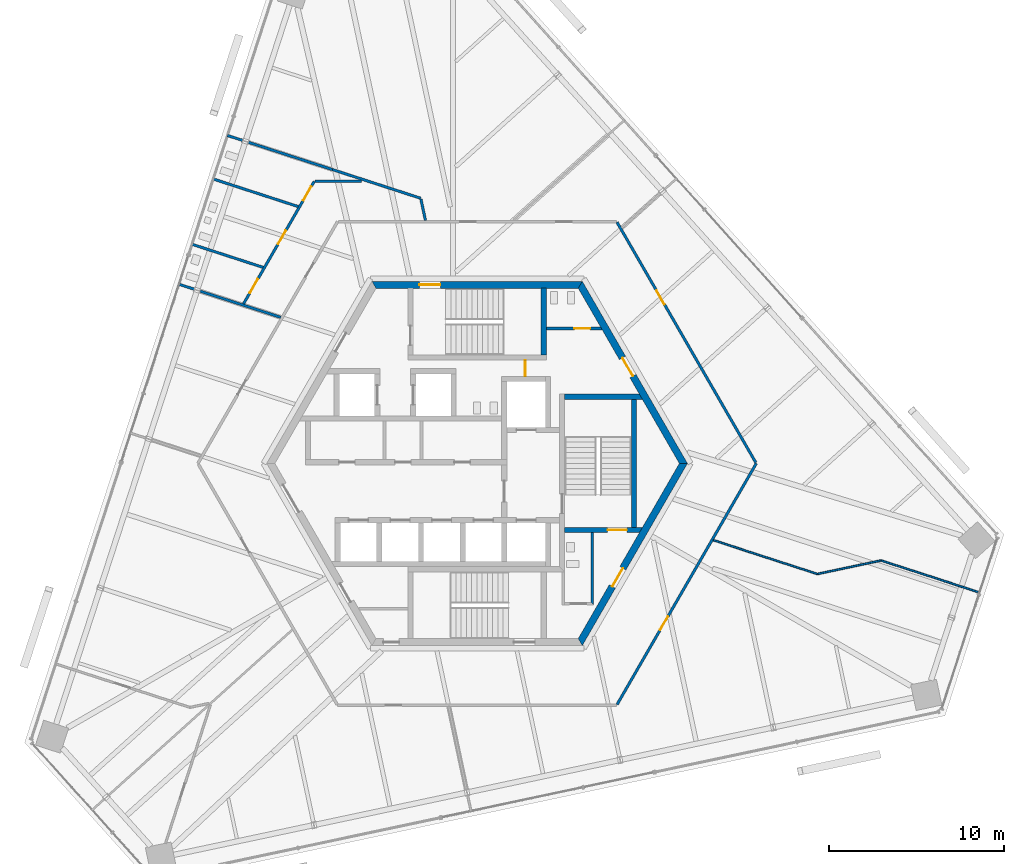
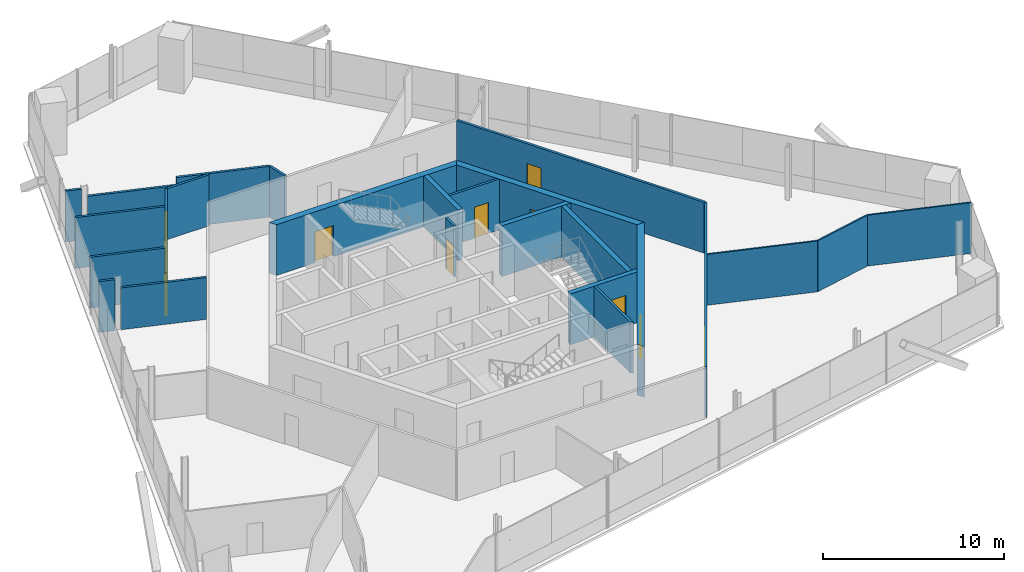
# One storey, part 11 of 14: 25 walls, 11 doors, 11 openings.
"""IFC4 building model written with IfcOpenShell, lengths in metres."""

from ifc_helpers import new_model, si_unit, direction, frame, frame_2d, origin, place, context, subcontext, project, spatial, polyline, rectangle, outline, extrude, source, transform, mapped, material, layer, layer_set, type_object, element, fill, save


model = new_model("IFC4")

# Units and contexts
model_context = context("Model", 3, precision=1e-05, world=origin(), true_north=direction((0.0, 1.0)))
body_context = subcontext(model_context, "Body", "Model", "MODEL_VIEW")
ifc_project = project(units=[si_unit("LENGTHUNIT", "METRE"), si_unit("AREAUNIT", "SQUARE_METRE"), si_unit("VOLUMEUNIT", "CUBIC_METRE"), si_unit("PLANEANGLEUNIT", "RADIAN"), si_unit("MASSUNIT", "GRAM", prefix="KILO")], contexts=[model_context])

# Site, building, storey
site_placement = place(None, origin())
site = spatial("IfcSite", under=ifc_project, at=site_placement, CompositionType="ELEMENT")
building_placement = place(site_placement, origin())
building = spatial("IfcBuilding", under=site, at=building_placement, Name="Triune Harvest Tower", CompositionType="ELEMENT")
storey_placement = place(building_placement, frame((0.0, 0.0, 263.10009765625)))
storey = spatial("IfcBuildingStorey", under=building, at=storey_placement, Name="L69", CompositionType="ELEMENT", Elevation=263.10009765625)

# Walls
ifc_material_1 = material(Name="Gypsum board on steel studs", Category="steel")
ifc_layer_1 = layer(ifc_material_1, 0.14990234375)
ifc_layer_set_1 = layer_set([ifc_layer_1], Name="Gypsum board on steel studs")
wall_type_1 = type_object("IfcWallType", Name="Fire Partition 150 mm", PredefinedType="PARTITIONING", material=ifc_layer_set_1)
wall_1_placement = place(storey_placement, frame((-15.809814453125, 9.830810546875, 0.0), z_axis=(0.0, 0.0, 1.0), x_axis=(0.951051075925, -0.309033737611, 0.0)))
element("IfcWall", 1, at=wall_1_placement, inside=storey, type_object=wall_type_1, Name="Partition L69 012", PredefinedType="PARTITIONING", context=body_context, shape_type="SweptSolid", body=[
    extrude(rectangle(XDim=4.852294921875, YDim=0.14990234375, at=frame_2d((2.42626953125, 0.0))), origin(), (0.0, 0.0, 1.0), 2.82763671875),
])
wall_2_placement = place(storey_placement, frame((-13.051025390625, 18.32177734375, 0.0), z_axis=(0.0, 0.0, 1.0), x_axis=(0.951057550444, -0.309013811574, 0.0)))
element("IfcWall", 2, at=wall_2_placement, inside=storey, type_object=wall_type_1, Name="Partition L69 016", PredefinedType="PARTITIONING", context=body_context, shape_type="SweptSolid", body=[
    extrude(rectangle(XDim=5.042236328125, YDim=0.14990234375, at=frame_2d((2.52099609375, 0.0))), origin(), (0.0, 0.0, 1.0), 2.90380859375),
])
ifc_material_2 = material(Name="Gypsum board on steel studs", Category="steel")
ifc_layer_2 = layer(ifc_material_2, 0.10009765625)
ifc_layer_set_2 = layer_set([ifc_layer_2], Name="Gypsum board on steel studs")
wall_type_2 = type_object("IfcWallType", Name="Partition 100 mm", PredefinedType="PARTITIONING", material=ifc_layer_set_2)
wall_3_placement = place(storey_placement, frame((23.046875, -5.536865234375, 0.0), z_axis=(0.0, 0.0, 1.0), x_axis=(0.951061094762, -0.309002902948, 0.0)))
element("IfcWall", 3, at=wall_3_placement, inside=storey, type_object=wall_type_2, Name="Partition L69 010", PredefinedType="PARTITIONING", context=body_context, shape_type="SweptSolid", body=[
    extrude(rectangle(XDim=5.907470703125, YDim=0.10009765625, at=frame_2d((2.95361328125, 0.0))), origin(), (0.0, 0.0, 1.0), 3.43994140625),
])
wall_4_placement = place(storey_placement, frame((19.425537109375, -6.305908203125, 0.0), z_axis=(0.0, 0.0, 1.0), x_axis=(0.97813598907, 0.2079663119, 0.0)))
element("IfcWall", 4, at=wall_4_placement, inside=storey, type_object=wall_type_2, Name="Partition L69 021", PredefinedType="PARTITIONING", context=body_context, shape_type="SweptSolid", body=[
    extrude(rectangle(XDim=3.692138671875, YDim=0.10009765625, at=frame_2d((1.84619140625, 0.0))), origin(), (0.0, 0.0, 1.0), 3.43994140625),
])

# Wall, opening, door
ifc_material_3 = material(Name="Concrete 70 MPa", Category="concrete")
ifc_layer_3 = layer(ifc_material_3, 0.39990234375)
ifc_layer_set_3 = layer_set([ifc_layer_3], Name="Concrete 70 MPa")
wall_type_3 = type_object("IfcWallType", Name="Core wall 400", PredefinedType="SHEAR", material=ifc_layer_set_3)
shared_shape_1 = source(origin(), body_context, "Body", "SweptSolid", [
    extrude(outline(polyline([(-0.115478515625, -0.199951171875), (11.884521484375, -0.199951171875), (11.653564453125, 0.199951171875), (0.115478515625, 0.199951171875), (-0.115478515625, -0.199951171875)])), origin(), (0.0, 0.0, 1.0), 3.43994140625),
])
wall_5_placement = place(storey_placement, frame((11.76904296875, 0.0, 0.0), z_axis=(0.0, 0.0, 1.0), x_axis=(-0.499996592174, 0.866027371285, 0.0)))
wall_5 = element("IfcWall", 5, at=wall_5_placement, inside=storey, type_object=wall_type_3, Name="Hexagon 0 wall", PredefinedType="SHEAR", context=body_context, shape_type="MappedRepresentation", body=[
    mapped(shared_shape_1, transform((0.0, 0.0, 0.0), scale=1.0)),
])
opening_1_placement = place(wall_5_placement, frame((5.75048828125, 0.0, 0.0)))
opening_1 = element("IfcOpeningElement", 6, at=opening_1_placement, cuts=wall_5, Name="Opening CD-WCP", PredefinedType="OPENING", context=body_context, shape_type="SweptSolid", body=[
    extrude(rectangle(XDim=1.199951171875, YDim=2.10009765625, at=frame_2d((0.60009765625, 1.050048828125))), frame((0.0, 0.2099609375, 0.0), z_axis=(0.0, -1.0, 0.0), x_axis=(1.0, 0.0, 0.0)), (0.0, 0.0, 1.0), 0.419921875),
])
ifc_material_4 = material(Name="Steel S235", Category="steel")
door_type_1 = type_object("IfcDoorType", Name="Lobby door 1200 FD120", OperationType="SINGLE_SWING_LEFT", PredefinedType="DOOR", material=ifc_material_4)
door_1_placement = place(opening_1_placement, frame((1.199951171875, 0.0, 0.0), z_axis=(0.0, 0.0, 1.0), x_axis=(-1.0, 0.0, 0.0)))
door_1 = element("IfcDoor", 7, at=door_1_placement, inside=storey, type_object=door_type_1, Name="Door CD-WCP", OperationType="SINGLE_SWING_RIGHT", OverallHeight=2.10009765625, OverallWidth=1.199951171875, PredefinedType="DOOR", context=body_context, shape_type="SweptSolid", body=[
    extrude(rectangle(XDim=1.199951171875, YDim=2.10009765625, at=frame_2d((0.60009765625, 1.050048828125))), frame((0.0, 0.02490234375, 0.0), z_axis=(0.0, -1.0, 0.0), x_axis=(1.0, 0.0, 0.0)), (0.0, 0.0, 1.0), 0.050048828125),
])
fill(opening_1, door_1)

wall_6_placement = place(storey_placement, frame((5.884521484375, 10.1923828125, 0.0), z_axis=(0.0, 0.0, 1.0), x_axis=(-1.0, 0.0, 0.0)))
wall_6 = element("IfcWall", 8, at=wall_6_placement, inside=storey, type_object=wall_type_3, Name="Hexagon 1 wall", PredefinedType="SHEAR", context=body_context, shape_type="MappedRepresentation", body=[
    mapped(shared_shape_1, transform((0.0, 0.0, 0.0), scale=1.0)),
])
opening_2_placement = place(wall_6_placement, frame((7.984619140625, 0.0, 0.0)))
opening_2 = element("IfcOpeningElement", 9, at=opening_2_placement, cuts=wall_6, Name="Opening CD-S1P", PredefinedType="OPENING", context=body_context, shape_type="SweptSolid", body=[
    extrude(rectangle(XDim=1.199951171875, YDim=2.10009765625, at=frame_2d((0.60009765625, 1.050048828125))), frame((0.0, 0.2099609375, 0.0), z_axis=(0.0, -1.0, 0.0), x_axis=(1.0, 0.0, 0.0)), (0.0, 0.0, 1.0), 0.419921875),
])
ifc_material_5 = material(Name="Steel S235", Category="steel")
door_type_2 = type_object("IfcDoorType", Name="Stair door 1200 FD120", OperationType="SINGLE_SWING_LEFT", PredefinedType="DOOR", material=ifc_material_5)
door_2_placement = place(opening_2_placement, frame((1.199951171875, 0.0, 0.0), z_axis=(0.0, 0.0, 1.0), x_axis=(-1.0, 0.0, 0.0)))
door_2 = element("IfcDoor", 10, at=door_2_placement, inside=storey, type_object=door_type_2, Name="Door CD-S1P", OperationType="SINGLE_SWING_RIGHT", OverallHeight=2.10009765625, OverallWidth=1.199951171875, PredefinedType="DOOR", context=body_context, shape_type="SweptSolid", body=[
    extrude(rectangle(XDim=1.199951171875, YDim=2.10009765625, at=frame_2d((0.60009765625, 1.050048828125))), frame((0.0, 0.02490234375, 0.0), z_axis=(0.0, -1.0, 0.0), x_axis=(1.0, 0.0, 0.0)), (0.0, 0.0, 1.0), 0.050048828125),
])
fill(opening_2, door_2)

wall_7_placement = place(storey_placement, frame((5.884521484375, -10.1923828125, 0.0), z_axis=(0.0, 0.0, 1.0), x_axis=(0.499996592174, 0.866027371285, 0.0)))
wall_7 = element("IfcWall", 11, at=wall_7_placement, inside=storey, type_object=wall_type_3, Name="Hexagon 5 wall", PredefinedType="SHEAR", context=body_context, shape_type="MappedRepresentation", body=[
    mapped(shared_shape_1, transform((0.0, 0.0, 0.0), scale=1.0)),
])
opening_3_placement = place(wall_7_placement, frame((3.66455078125, 0.0, 0.0)))
opening_3 = element("IfcOpeningElement", 12, at=opening_3_placement, cuts=wall_7, Name="Opening CD-DP", PredefinedType="OPENING", context=body_context, shape_type="SweptSolid", body=[
    extrude(rectangle(XDim=1.199951171875, YDim=2.10009765625, at=frame_2d((0.60009765625, 1.050048828125))), frame((0.0, 0.2099609375, 0.0), z_axis=(0.0, -1.0, 0.0), x_axis=(1.0, 0.0, 0.0)), (0.0, 0.0, 1.0), 0.419921875),
])
door_3_placement = place(opening_3_placement, frame((1.199951171875, 0.0, 0.0), z_axis=(0.0, 0.0, 1.0), x_axis=(-1.0, 0.0, 0.0)))
door_3 = element("IfcDoor", 13, at=door_3_placement, inside=storey, type_object=door_type_2, Name="Door CD-DP", OperationType="SINGLE_SWING_RIGHT", OverallHeight=2.10009765625, OverallWidth=1.199951171875, PredefinedType="DOOR", context=body_context, shape_type="SweptSolid", body=[
    extrude(rectangle(XDim=1.199951171875, YDim=2.10009765625, at=frame_2d((0.60009765625, 1.050048828125))), frame((0.0, 0.02490234375, 0.0), z_axis=(0.0, -1.0, 0.0), x_axis=(1.0, 0.0, 0.0)), (0.0, 0.0, 1.0), 0.050048828125),
])
fill(opening_3, door_3)

# Wall
ifc_material_6 = material(Name="Concrete 70 MPa", Category="concrete")
ifc_layer_4 = layer(ifc_material_6, 0.300048828125)
ifc_layer_set_4 = layer_set([ifc_layer_4], Name="Concrete 70 MPa")
wall_type_4 = type_object("IfcWallType", Name="Core wall 300", PredefinedType="SHEAR", material=ifc_layer_set_4)
shared_shape_2 = source(origin(), body_context, "Body", "SweptSolid", [
    extrude(outline(polyline([(0.0, -0.14990234375), (0.0, 0.14990234375), (4.260009765625, 0.14990234375), (4.43310546875, -0.14990234375), (0.0, -0.14990234375)])), origin(), (0.0, 0.0, 1.0), 3.43994140625),
])
wall_8_placement = place(storey_placement, frame((5.0, 3.800048828125, 0.0), z_axis=(0.0, 0.0, 1.0), x_axis=(1.0, 0.0, 0.0)))
element("IfcWall", 14, at=wall_8_placement, inside=storey, type_object=wall_type_4, Name="Stair e north wall", PredefinedType="SHEAR", context=body_context, shape_type="MappedRepresentation", body=[
    mapped(shared_shape_2, transform((0.0, 0.0, 0.0), scale=1.0)),
])

# Wall, opening, door
shared_shape_3 = source(origin(), body_context, "Body", "SweptSolid", [
    extrude(outline(polyline([(0.0, -0.14990234375), (0.0, 0.14990234375), (4.43310546875, 0.14990234375), (4.260009765625, -0.14990234375), (0.0, -0.14990234375)])), origin(), (0.0, 0.0, 1.0), 3.43994140625),
])
wall_9_placement = place(storey_placement, frame((5.0, -3.800048828125, 0.0), z_axis=(0.0, 0.0, 1.0), x_axis=(1.0, 0.0, 0.0)))
wall_9 = element("IfcWall", 15, at=wall_9_placement, inside=storey, type_object=wall_type_4, Name="Stair e south wall", PredefinedType="SHEAR", context=body_context, shape_type="MappedRepresentation", body=[
    mapped(shared_shape_3, transform((0.0, 0.0, 0.0), scale=1.0)),
])
opening_4_placement = place(wall_9_placement, frame((2.449951171875, 0.0, 0.0)))
opening_4 = element("IfcOpeningElement", 16, at=opening_4_placement, cuts=wall_9, Name="Opening CD-S3D", PredefinedType="OPENING", context=body_context, shape_type="SweptSolid", body=[
    extrude(rectangle(XDim=1.10009765625, YDim=2.10009765625, at=frame_2d((0.550048828125, 1.050048828125))), frame((0.0, 0.16015625, 0.0), z_axis=(0.0, -1.0, 0.0), x_axis=(1.0, 0.0, 0.0)), (0.0, 0.0, 1.0), 0.320068359375),
])
ifc_material_7 = material(Name="Steel S235", Category="steel")
door_type_3 = type_object("IfcDoorType", Name="Stair door 1100 FD120", OperationType="SINGLE_SWING_LEFT", PredefinedType="DOOR", material=ifc_material_7)
door_4_placement = place(opening_4_placement, frame((1.10009765625, 0.0, 0.0), z_axis=(0.0, 0.0, 1.0), x_axis=(-1.0, 0.0, 0.0)))
door_4 = element("IfcDoor", 17, at=door_4_placement, inside=storey, type_object=door_type_3, Name="Door CD-S3D", OperationType="SINGLE_SWING_RIGHT", OverallHeight=2.10009765625, OverallWidth=1.10009765625, PredefinedType="DOOR", context=body_context, shape_type="SweptSolid", body=[
    extrude(rectangle(XDim=1.10009765625, YDim=2.10009765625, at=frame_2d((0.550048828125, 1.050048828125))), frame((0.0, 0.02490234375, 0.0), z_axis=(0.0, -1.0, 0.0), x_axis=(1.0, 0.0, 0.0)), (0.0, 0.0, 1.0), 0.050048828125),
])
fill(opening_4, door_4)

# Walls
shared_shape_4 = source(origin(), body_context, "Body", "SweptSolid", [
    extrude(rectangle(XDim=7.2998046875, YDim=0.300048828125, at=frame_2d((3.64990234375, 0.0))), origin(), (0.0, 0.0, 1.0), 3.43994140625),
])
wall_10_placement = place(storey_placement, frame((8.949951171875, -3.64990234375, 0.0), z_axis=(0.0, 0.0, 1.0), x_axis=(0.0, 1.0, 0.0)))
element("IfcWall", 18, at=wall_10_placement, inside=storey, type_object=wall_type_4, Name="Stair e east wall", PredefinedType="SHEAR", context=body_context, shape_type="MappedRepresentation", body=[
    mapped(shared_shape_4, transform((0.0, 0.0, 0.0), scale=1.0)),
])
shared_shape_5 = source(origin(), body_context, "Body", "SweptSolid", [
    extrude(outline(polyline([(0.0, -0.14990234375), (0.0, 0.14990234375), (3.80419921875, 0.14990234375), (3.80419921875, -0.14990234375), (0.0, -0.14990234375)])), origin(), (0.0, 0.0, 1.0), 3.43994140625),
])
wall_11_placement = place(storey_placement, frame((3.800048828125, 6.18994140625, 0.0), z_axis=(0.0, 0.0, 1.0), x_axis=(0.0, 1.0, 0.0)))
element("IfcWall", 19, at=wall_11_placement, inside=storey, type_object=wall_type_4, Name="Stair n east wall", PredefinedType="SHEAR", context=body_context, shape_type="MappedRepresentation", body=[
    mapped(shared_shape_5, transform((0.0, 0.0, 0.0), scale=1.0)),
])
ifc_material_8 = material(Name="Concrete masonry unit", Category="masonry")
ifc_layer_5 = layer(ifc_material_8, 0.14990234375)
ifc_layer_set_5 = layer_set([ifc_layer_5], Name="Concrete masonry unit")
wall_type_5 = type_object("IfcWallType", Name="Block partition 150 unrated", PredefinedType="PARTITIONING", material=ifc_layer_set_5)
shared_shape_6 = source(origin(), body_context, "Body", "SweptSolid", [
    extrude(outline(polyline([(-0.074951171875, -0.074951171875), (4.050048828125, -0.074951171875), (4.050048828125, 0.074951171875), (0.074951171875, 0.074951171875), (-0.074951171875, -0.074951171875)])), origin(), (0.0, 0.0, 1.0), 3.43994140625),
])
wall_12_placement = place(storey_placement, frame((6.574951171875, -8.0, 0.0), z_axis=(0.0, 0.0, 1.0), x_axis=(0.0, 1.0, 0.0)))
element("IfcWall", 20, at=wall_12_placement, inside=storey, type_object=wall_type_5, Name="Wc acc east wall", PredefinedType="PARTITIONING", context=body_context, shape_type="MappedRepresentation", body=[
    mapped(shared_shape_6, transform((0.0, 0.0, 0.0), scale=1.0)),
])

# Wall, opening, door
shared_shape_7 = source(origin(), body_context, "Body", "SweptSolid", [
    extrude(outline(polyline([(0.0, -0.074951171875), (0.0, 0.074951171875), (3.1015625, 0.074951171875), (3.18798828125, -0.074951171875), (0.0, -0.074951171875)])), origin(), (0.0, 0.0, 1.0), 3.43994140625),
])
wall_13_placement = place(storey_placement, frame((3.949951171875, 7.699951171875, 0.0), z_axis=(0.0, 0.0, 1.0), x_axis=(1.0, 0.0, 0.0)))
wall_13 = element("IfcWall", 21, at=wall_13_placement, inside=storey, type_object=wall_type_5, Name="Wc women south wall", PredefinedType="PARTITIONING", context=body_context, shape_type="MappedRepresentation", body=[
    mapped(shared_shape_7, transform((0.0, 0.0, 0.0), scale=1.0)),
])
opening_5_placement = place(wall_13_placement, frame((1.60009765625, 0.0, 0.0)))
opening_5 = element("IfcOpeningElement", 22, at=opening_5_placement, cuts=wall_13, Name="Opening CD-WW", PredefinedType="OPENING", context=body_context, shape_type="SweptSolid", body=[
    extrude(rectangle(XDim=0.89990234375, YDim=2.10009765625, at=frame_2d((0.449951171875, 1.050048828125))), frame((0.0, 0.0849609375, 0.0), z_axis=(0.0, -1.0, 0.0), x_axis=(1.0, 0.0, 0.0)), (0.0, 0.0, 1.0), 0.169921875),
])
ifc_material_9 = material(Name="Timber C24", Category="wood")
door_type_4 = type_object("IfcDoorType", Name="WC door 900", OperationType="SINGLE_SWING_LEFT", PredefinedType="DOOR", material=ifc_material_9)
door_5_placement = place(opening_5_placement, origin())
door_5 = element("IfcDoor", 23, at=door_5_placement, inside=storey, type_object=door_type_4, Name="Door CD-WW", OperationType="SINGLE_SWING_LEFT", OverallHeight=2.10009765625, OverallWidth=0.89990234375, PredefinedType="DOOR", context=body_context, shape_type="SweptSolid", body=[
    extrude(rectangle(XDim=0.89990234375, YDim=2.10009765625, at=frame_2d((0.449951171875, 1.050048828125))), frame((0.0, 0.02490234375, 0.0), z_axis=(0.0, -1.0, 0.0), x_axis=(1.0, 0.0, 0.0)), (0.0, 0.0, 1.0), 0.050048828125),
])
fill(opening_5, door_5)

shared_shape_8 = source(origin(), body_context, "Body", "SweptSolid", [
    extrude(rectangle(XDim=0.929931640625, YDim=0.14990234375, at=frame_2d((0.46484375, 0.0))), origin(), (0.0, 0.0, 1.0), 3.43994140625),
])
wall_14_placement = place(storey_placement, frame((2.75, 4.9599609375, 0.0), z_axis=(0.0, 0.0, 1.0), x_axis=(0.0, 1.0, 0.0)))
wall_14 = element("IfcWall", 24, at=wall_14_placement, inside=storey, type_object=wall_type_5, Name="Wc men east b wall", PredefinedType="PARTITIONING", context=body_context, shape_type="MappedRepresentation", body=[
    mapped(shared_shape_8, transform((0.0, 0.0, 0.0), scale=1.0)),
])
opening_6_placement = place(wall_14_placement, frame((0.014892578125, 0.0, 0.0)))
opening_6 = element("IfcOpeningElement", 25, at=opening_6_placement, cuts=wall_14, Name="Opening CD-WM", PredefinedType="OPENING", context=body_context, shape_type="SweptSolid", body=[
    extrude(rectangle(XDim=0.89990234375, YDim=2.10009765625, at=frame_2d((0.449951171875, 1.050048828125))), frame((0.0, 0.0849609375, 0.0), z_axis=(0.0, -1.0, 0.0), x_axis=(1.0, 0.0, 0.0)), (0.0, 0.0, 1.0), 0.169921875),
])
door_6_placement = place(opening_6_placement, origin())
door_6 = element("IfcDoor", 26, at=door_6_placement, inside=storey, type_object=door_type_4, Name="Door CD-WM", OperationType="SINGLE_SWING_LEFT", OverallHeight=2.10009765625, OverallWidth=0.89990234375, PredefinedType="DOOR", context=body_context, shape_type="SweptSolid", body=[
    extrude(rectangle(XDim=0.89990234375, YDim=2.10009765625, at=frame_2d((0.449951171875, 1.050048828125))), frame((0.0, 0.02490234375, 0.0), z_axis=(0.0, -1.0, 0.0), x_axis=(1.0, 0.0, 0.0)), (0.0, 0.0, 1.0), 0.050048828125),
])
fill(opening_6, door_6)

# Wall
shared_shape_9 = source(origin(), body_context, "Body", "SweptSolid", [
    extrude(rectangle(XDim=1.25341796875, YDim=0.14990234375, at=frame_2d((0.626708984375, 0.0))), origin(), (0.0, 0.0, 1.0), 3.43994140625),
])
wall_15_placement = place(storey_placement, frame((-3.206787109375, 15.0869140625, 0.0), z_axis=(0.0, 0.0, 1.0), x_axis=(0.207826142567, -0.978165780666, 0.0)))
element("IfcWall", 27, at=wall_15_placement, inside=storey, type_object=wall_type_1, Name="Partition L69 003", PredefinedType="PARTITIONING", context=body_context, shape_type="MappedRepresentation", body=[
    mapped(shared_shape_9, transform((0.0, 0.0, 0.0), scale=1.0)),
])

# Wall, opening, door
shared_shape_10 = source(origin(), body_context, "Body", "SweptSolid", [
    extrude(rectangle(XDim=15.83544921875, YDim=0.14990234375, at=frame_2d((7.917724609375, 0.0))), origin(), (0.0, 0.0, 1.0), 3.43994140625),
])
wall_16_placement = place(storey_placement, frame((7.983154296875, 13.757568359375, 0.0), z_axis=(0.0, 0.0, 1.0), x_axis=(0.500012495779, -0.866018189223, 0.0)))
wall_16 = element("IfcWall", 28, at=wall_16_placement, inside=storey, type_object=wall_type_1, Name="Partition L69 005", PredefinedType="PARTITIONING", context=body_context, shape_type="MappedRepresentation", body=[
    mapped(shared_shape_10, transform((0.0, 0.0, 0.0), scale=1.0)),
])
opening_7_placement = place(wall_16_placement, frame((4.5048828125, 0.0, 0.0)))
opening_7 = element("IfcOpeningElement", 29, at=opening_7_placement, cuts=wall_16, Name="Opening L69-001", PredefinedType="OPENING", context=body_context, shape_type="SweptSolid", body=[
    extrude(rectangle(XDim=0.89990234375, YDim=2.10009765625, at=frame_2d((0.449951171875, 1.050048828125))), frame((0.0, 0.0849609375, 0.0), z_axis=(0.0, -1.0, 0.0), x_axis=(1.0, 0.0, 0.0)), (0.0, 0.0, 1.0), 0.169921875),
])
ifc_material_10 = material(Name="Timber and steel door set", Category="steel")
door_type_5 = type_object("IfcDoorType", Name="Single leaf door FD30 left hand 900 x 2100", OperationType="SINGLE_SWING_LEFT", PredefinedType="DOOR", material=ifc_material_10)
door_7_placement = place(opening_7_placement, origin())
door_7 = element("IfcDoor", 30, at=door_7_placement, inside=storey, type_object=door_type_5, Name="Door L69-001 Executive Suite 69.01", OperationType="SINGLE_SWING_LEFT", OverallHeight=2.10009765625, OverallWidth=0.89990234375, PredefinedType="DOOR", context=body_context, shape_type="SweptSolid", body=[
    extrude(rectangle(XDim=0.89990234375, YDim=2.10009765625, at=frame_2d((0.449951171875, 1.050048828125))), frame((0.0, 0.02490234375, 0.0), z_axis=(0.0, -1.0, 0.0), x_axis=(1.0, 0.0, 0.0)), (0.0, 0.0, 1.0), 0.050048828125),
])
fill(opening_7, door_7)

# Walls
shared_shape_11 = source(origin(), body_context, "Body", "SweptSolid", [
    extrude(rectangle(XDim=6.244873046875, YDim=0.10009765625, at=frame_2d((3.12255859375, 0.0))), origin(), (0.0, 0.0, 1.0), 3.43994140625),
])
wall_17_placement = place(storey_placement, frame((13.476806640625, -4.37890625, 0.0), z_axis=(0.0, 0.0, 1.0), x_axis=(0.95106020959, -0.309005627352, 0.0)))
element("IfcWall", 31, at=wall_17_placement, inside=storey, type_object=wall_type_2, Name="Partition L69 009", PredefinedType="PARTITIONING", context=body_context, shape_type="MappedRepresentation", body=[
    mapped(shared_shape_11, transform((0.0, 0.0, 0.0), scale=1.0)),
])
shared_shape_12 = source(origin(), body_context, "Body", "SweptSolid", [
    extrude(rectangle(XDim=0.915283203125, YDim=0.14990234375, at=frame_2d((0.45751953125, 0.0))), origin(), (0.0, 0.0, 1.0), 3.43994140625),
])
wall_18_placement = place(storey_placement, frame((-17.00439453125, 10.21875, 0.0), z_axis=(0.0, 0.0, 1.0), x_axis=(0.951108522522, -0.308856889815, 0.0)))
element("IfcWall", 32, at=wall_18_placement, inside=storey, type_object=wall_type_1, Name="Partition L69 011", PredefinedType="PARTITIONING", context=body_context, shape_type="MappedRepresentation", body=[
    mapped(shared_shape_12, transform((0.0, 0.0, 0.0), scale=1.0)),
])
shared_shape_13 = source(origin(), body_context, "Body", "SweptSolid", [
    extrude(rectangle(XDim=4.266845703125, YDim=0.14990234375, at=frame_2d((2.13330078125, 0.0))), origin(), (0.0, 0.0, 1.0), 3.43994140625),
])
wall_19_placement = place(storey_placement, frame((-16.2626953125, 12.501220703125, 0.0), z_axis=(0.0, 0.0, 1.0), x_axis=(0.951053408584, -0.309026558763, 0.0)))
element("IfcWall", 33, at=wall_19_placement, inside=storey, type_object=wall_type_1, Name="Partition L69 013", PredefinedType="PARTITIONING", context=body_context, shape_type="MappedRepresentation", body=[
    mapped(shared_shape_13, transform((0.0, 0.0, 0.0), scale=1.0)),
])
shared_shape_14 = source(origin(), body_context, "Body", "SweptSolid", [
    extrude(rectangle(XDim=5.099609375, YDim=0.14990234375, at=frame_2d((2.5498046875, 0.0))), origin(), (0.0, 0.0, 1.0), 3.43994140625),
])
wall_20_placement = place(storey_placement, frame((-15.052490234375, 16.2265625, 0.0), z_axis=(0.0, 0.0, 1.0), x_axis=(0.951054471747, -0.309023286778, 0.0)))
element("IfcWall", 34, at=wall_20_placement, inside=storey, type_object=wall_type_1, Name="Partition L69 014", PredefinedType="PARTITIONING", context=body_context, shape_type="MappedRepresentation", body=[
    mapped(shared_shape_14, transform((0.0, 0.0, 0.0), scale=1.0)),
])
shared_shape_15 = source(origin(), body_context, "Body", "SweptSolid", [
    extrude(rectangle(XDim=0.91552734375, YDim=0.14990234375, at=frame_2d((0.457763671875, 0.0))), origin(), (0.0, 0.0, 1.0), 3.43994140625),
])
wall_21_placement = place(storey_placement, frame((-14.24560546875, 18.7099609375, 0.0), z_axis=(0.0, 0.0, 1.0), x_axis=(0.951030148904, -0.309098133084, 0.0)))
element("IfcWall", 35, at=wall_21_placement, inside=storey, type_object=wall_type_1, Name="Partition L69 015", PredefinedType="PARTITIONING", context=body_context, shape_type="MappedRepresentation", body=[
    mapped(shared_shape_15, transform((0.0, 0.0, 0.0), scale=1.0)),
])
shared_shape_16 = source(origin(), body_context, "Body", "SweptSolid", [
    extrude(rectangle(XDim=5.2998046875, YDim=0.14990234375, at=frame_2d((2.64990234375, 0.0))), origin(), (0.0, 0.0, 1.0), 3.43994140625),
])
wall_22_placement = place(storey_placement, frame((-8.255615234375, 16.763671875, 0.0), z_axis=(0.0, 0.0, 1.0), x_axis=(0.951060470027, -0.309004825775, 0.0)))
element("IfcWall", 36, at=wall_22_placement, inside=storey, type_object=wall_type_1, Name="Partition L69 016a", PredefinedType="PARTITIONING", context=body_context, shape_type="MappedRepresentation", body=[
    mapped(shared_shape_16, transform((0.0, 0.0, 0.0), scale=1.0)),
])
shared_shape_17 = source(origin(), body_context, "Body", "SweptSolid", [
    extrude(rectangle(XDim=2.658935546875, YDim=0.14990234375, at=frame_2d((1.32958984375, 0.0))), origin(), (0.0, 0.0, 1.0), 3.43994140625),
])
wall_23_placement = place(storey_placement, frame((-9.240966796875, 16.09228515625, 0.0), z_axis=(0.0, 0.0, 1.0), x_axis=(1.0, 0.0, 0.0)))
element("IfcWall", 37, at=wall_23_placement, inside=storey, type_object=wall_type_1, Name="Partition L69 019", PredefinedType="PARTITIONING", context=body_context, shape_type="MappedRepresentation", body=[
    mapped(shared_shape_17, transform((0.0, 0.0, 0.0), scale=1.0)),
])

# Wall, opening, door
shared_shape_18 = source(origin(), body_context, "Body", "SweptSolid", [
    extrude(rectangle(XDim=15.88623046875, YDim=0.14990234375, at=frame_2d((7.943115234375, 0.0))), origin(), (0.0, 0.0, 1.0), 3.43994140625),
])
wall_24_placement = place(storey_placement, frame((7.98291015625, -13.7578125, 0.0), z_axis=(0.0, 0.0, 1.0), x_axis=(0.500001816864, 0.866024354815, 0.0)))
wall_24 = element("IfcWall", 38, at=wall_24_placement, inside=storey, type_object=wall_type_1, Name="Partition L69 027", PredefinedType="PARTITIONING", context=body_context, shape_type="MappedRepresentation", body=[
    mapped(shared_shape_18, transform((0.0, 0.0, 0.0), scale=1.0)),
])
opening_8_placement = place(wall_24_placement, frame((4.909912109375, 0.0, 0.0)))
opening_8 = element("IfcOpeningElement", 39, at=opening_8_placement, cuts=wall_24, Name="Opening L69-013", PredefinedType="OPENING", context=body_context, shape_type="SweptSolid", body=[
    extrude(rectangle(XDim=0.89990234375, YDim=2.10009765625, at=frame_2d((0.449951171875, 1.050048828125))), frame((0.0, 0.0849609375, 0.0), z_axis=(0.0, -1.0, 0.0), x_axis=(1.0, 0.0, 0.0)), (0.0, 0.0, 1.0), 0.169921875),
])
ifc_material_11 = material(Name="Timber and steel door set", Category="steel")
door_type_6 = type_object("IfcDoorType", Name="Single leaf door FD30 right hand 900 x 2100", OperationType="SINGLE_SWING_RIGHT", PredefinedType="DOOR", material=ifc_material_11)
door_8_placement = place(opening_8_placement, origin())
door_8 = element("IfcDoor", 40, at=door_8_placement, inside=storey, type_object=door_type_6, Name="Door L69-013 Executive Suite 69.13", OperationType="SINGLE_SWING_RIGHT", OverallHeight=2.10009765625, OverallWidth=0.89990234375, PredefinedType="DOOR", context=body_context, shape_type="SweptSolid", body=[
    extrude(rectangle(XDim=0.89990234375, YDim=2.10009765625, at=frame_2d((0.449951171875, 1.050048828125))), frame((0.0, 0.02490234375, 0.0), z_axis=(0.0, -1.0, 0.0), x_axis=(1.0, 0.0, 0.0)), (0.0, 0.0, 1.0), 0.050048828125),
])
fill(opening_8, door_8)

# Wall, openings, doors
shared_shape_19 = source(origin(), body_context, "Body", "SweptSolid", [
    extrude(rectangle(XDim=8.14794921875, YDim=0.14990234375, at=frame_2d((4.073974609375, 0.0))), origin(), (0.0, 0.0, 1.0), 3.43994140625),
])
wall_25_placement = place(storey_placement, frame((-13.36474609375, 9.0361328125, 0.0), z_axis=(0.0, 0.0, 1.0), x_axis=(0.499996520581, 0.866027412618, 0.0)))
wall_25 = element("IfcWall", 41, at=wall_25_placement, inside=storey, type_object=wall_type_1, Name="Partition L69 029", PredefinedType="PARTITIONING", context=body_context, shape_type="MappedRepresentation", body=[
    mapped(shared_shape_19, transform((0.0, 0.0, 0.0), scale=1.0)),
])
opening_9_placement = place(wall_25_placement, frame((6.897705078125, 0.0, 0.0)))
opening_9 = element("IfcOpeningElement", 42, at=opening_9_placement, cuts=wall_25, Name="Opening L69-005", PredefinedType="OPENING", context=body_context, shape_type="SweptSolid", body=[
    extrude(rectangle(XDim=0.89990234375, YDim=2.10009765625, at=frame_2d((0.449951171875, 1.050048828125))), frame((0.0, 0.0849609375, 0.0), z_axis=(0.0, -1.0, 0.0), x_axis=(1.0, 0.0, 0.0)), (0.0, 0.0, 1.0), 0.169921875),
])
opening_10_placement = place(wall_25_placement, frame((4.008056640625, 0.0, 0.0)))
opening_10 = element("IfcOpeningElement", 43, at=opening_10_placement, cuts=wall_25, Name="Opening L69-006", PredefinedType="OPENING", context=body_context, shape_type="SweptSolid", body=[
    extrude(rectangle(XDim=0.89990234375, YDim=2.10009765625, at=frame_2d((0.449951171875, 1.050048828125))), frame((0.0, 0.0849609375, 0.0), z_axis=(0.0, -1.0, 0.0), x_axis=(1.0, 0.0, 0.0)), (0.0, 0.0, 1.0), 0.169921875),
])
opening_11_placement = place(wall_25_placement, frame((0.8037109375, 0.0, 0.0)))
opening_11 = element("IfcOpeningElement", 44, at=opening_11_placement, cuts=wall_25, Name="Opening L69-007", PredefinedType="OPENING", context=body_context, shape_type="SweptSolid", body=[
    extrude(rectangle(XDim=0.89990234375, YDim=2.10009765625, at=frame_2d((0.449951171875, 1.050048828125))), frame((0.0, 0.0849609375, 0.0), z_axis=(0.0, -1.0, 0.0), x_axis=(1.0, 0.0, 0.0)), (0.0, 0.0, 1.0), 0.169921875),
])
door_9_placement = place(opening_11_placement, origin())
door_9 = element("IfcDoor", 45, at=door_9_placement, inside=storey, type_object=door_type_5, Name="Door L69-007 Accessible WC 69.07", OperationType="SINGLE_SWING_LEFT", OverallHeight=2.10009765625, OverallWidth=0.89990234375, PredefinedType="DOOR", context=body_context, shape_type="SweptSolid", body=[
    extrude(rectangle(XDim=0.89990234375, YDim=2.10009765625, at=frame_2d((0.449951171875, 1.050048828125))), frame((0.0, 0.02490234375, 0.0), z_axis=(0.0, -1.0, 0.0), x_axis=(1.0, 0.0, 0.0)), (0.0, 0.0, 1.0), 0.050048828125),
])
fill(opening_11, door_9)
door_10_placement = place(opening_9_placement, origin())
door_10 = element("IfcDoor", 46, at=door_10_placement, inside=storey, type_object=door_type_6, Name="Door L69-005 Women's WC 69.05", OperationType="SINGLE_SWING_RIGHT", OverallHeight=2.10009765625, OverallWidth=0.89990234375, PredefinedType="DOOR", context=body_context, shape_type="SweptSolid", body=[
    extrude(rectangle(XDim=0.89990234375, YDim=2.10009765625, at=frame_2d((0.449951171875, 1.050048828125))), frame((0.0, 0.02490234375, 0.0), z_axis=(0.0, -1.0, 0.0), x_axis=(1.0, 0.0, 0.0)), (0.0, 0.0, 1.0), 0.050048828125),
])
fill(opening_9, door_10)
door_11_placement = place(opening_10_placement, origin())
door_11 = element("IfcDoor", 47, at=door_11_placement, inside=storey, type_object=door_type_6, Name="Door L69-006 Men's WC 69.06", OperationType="SINGLE_SWING_RIGHT", OverallHeight=2.10009765625, OverallWidth=0.89990234375, PredefinedType="DOOR", context=body_context, shape_type="SweptSolid", body=[
    extrude(rectangle(XDim=0.89990234375, YDim=2.10009765625, at=frame_2d((0.449951171875, 1.050048828125))), frame((0.0, 0.02490234375, 0.0), z_axis=(0.0, -1.0, 0.0), x_axis=(1.0, 0.0, 0.0)), (0.0, 0.0, 1.0), 0.050048828125),
])
fill(opening_10, door_11)

save(model, "model.ifc")
